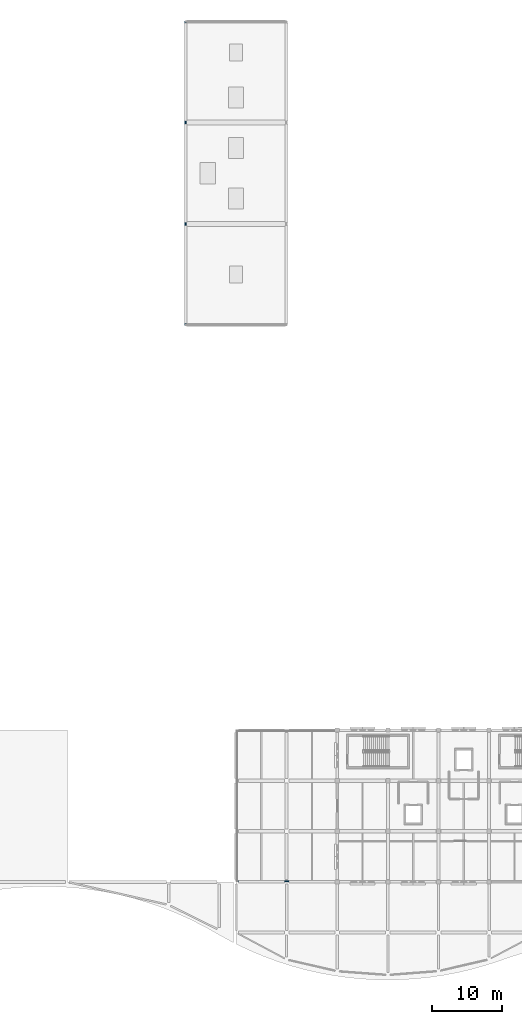
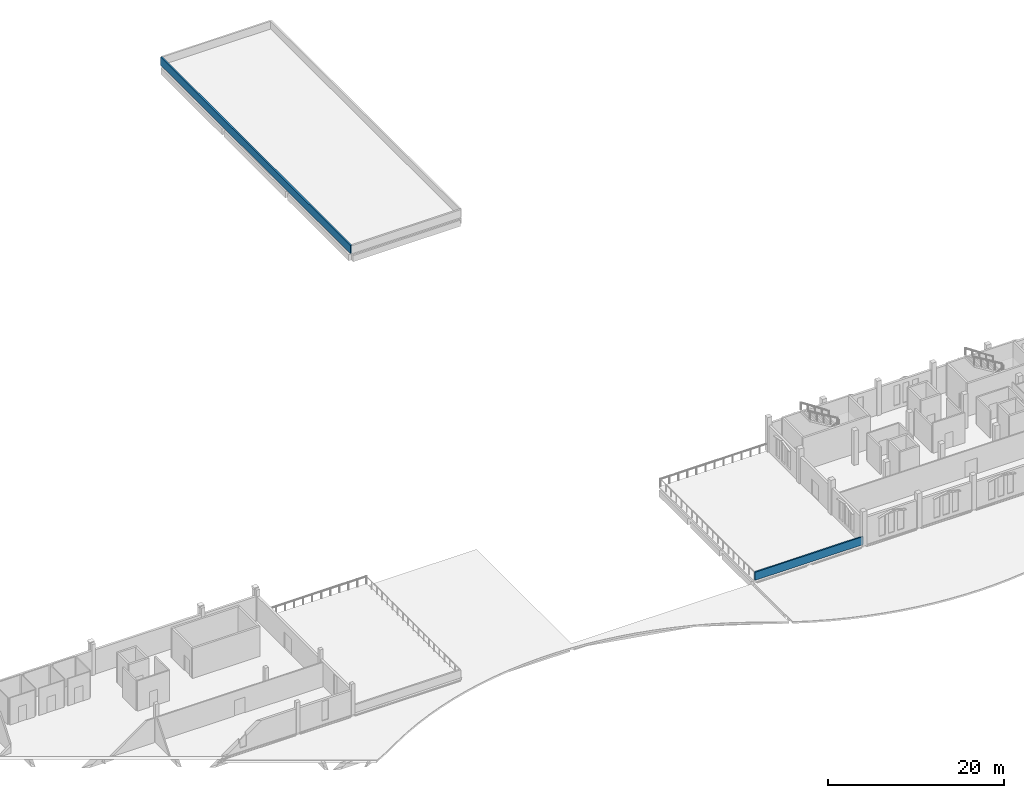
# One storey, part 8 of 23: 2 walls.
"""IFC4 building model written with IfcOpenShell, lengths in metres."""

from ifc_helpers import new_model, si_unit, direction, frame, frame_2d, origin, place, context, subcontext, project, spatial, rectangle, extrude, material, layer, layer_set, type_object, element, save


model = new_model("IFC4")

# Units and contexts
model_context = context("Model", 3, precision=1e-05, world=origin(), true_north=direction((0.0, 1.0)))
body_context = subcontext(model_context, "Body", "Model", "MODEL_VIEW")
ifc_project = project(units=[si_unit("LENGTHUNIT", "METRE"), si_unit("AREAUNIT", "SQUARE_METRE"), si_unit("VOLUMEUNIT", "CUBIC_METRE"), si_unit("PLANEANGLEUNIT", "RADIAN"), si_unit("MASSUNIT", "GRAM", prefix="KILO")], contexts=[model_context])

# Site, building, storey
site_placement = place(None, origin())
site = spatial("IfcSite", under=ifc_project, at=site_placement, CompositionType="ELEMENT")
building_placement = place(site_placement, origin())
building = spatial("IfcBuilding", under=site, at=building_placement, Name="Cendralis Lancet Convention Centre", CompositionType="ELEMENT")
storey_placement = place(building_placement, frame((0.0, 0.0, 19.800048828125)))
storey = spatial("IfcBuildingStorey", under=building, at=storey_placement, Name="L04", CompositionType="ELEMENT", Elevation=19.800048828125)

# Walls
ifc_material = material(Name="Buff sandstone ashlar and Concrete G40 (C40/50)", Category="masonry")
ifc_layer_1 = layer(ifc_material, 0.18994140625, Name="Buff sandstone ashlar and Concrete G40 (C40/50)")
ifc_layer_set_1 = layer_set([ifc_layer_1], Name="Buff sandstone ashlar and Concrete G40 (C40/50)")
wall_type_1 = type_object("IfcWallType", Name="ARC-EW-P190", PredefinedType="PARAPET", material=ifc_layer_set_1)
wall_1_placement = place(storey_placement, frame((132.14990234375, 14.5, 0.0), z_axis=(0.0, 0.0, 1.0), x_axis=(1.0, 0.0, 0.0)))
element("IfcWall", 1, at=wall_1_placement, inside=storey, type_object=wall_type_1, Name="L04 Roof Parapet Wall PR-02 #011", PredefinedType="PARAPET", context=body_context, shape_type="SweptSolid", body=[
    extrude(rectangle(XDim=14.25, YDim=0.18994140625, at=frame_2d((7.125, 0.0))), origin(), (0.0, 0.0, 1.0), 1.119873046875),
])
ifc_layer_2 = layer(ifc_material, 0.219970703125, Name="Buff sandstone ashlar and Concrete G40 (C40/50)")
ifc_layer_set_2 = layer_set([ifc_layer_2], Name="Buff sandstone ashlar and Concrete G40 (C40/50)")
wall_type_2 = type_object("IfcWallType", Name="ARC-EW-P220", PredefinedType="PARAPET", material=ifc_layer_set_2)
wall_2_placement = place(storey_placement, frame((124.800048828125, 136.800048828125, 0.0), z_axis=(0.0, 0.0, 1.0), x_axis=(0.0, -1.0, 0.0)))
element("IfcWall", 2, at=wall_2_placement, inside=storey, type_object=wall_type_2, Name="L04 Roof Parapet Wall PR-01 #004", PredefinedType="PARAPET", context=body_context, shape_type="SweptSolid", body=[
    extrude(rectangle(XDim=43.199951171875, YDim=0.219970703125, at=frame_2d((21.60009765625, 0.0))), origin(), (0.0, 0.0, 1.0), 1.119873046875),
])

save(model, "model.ifc")
